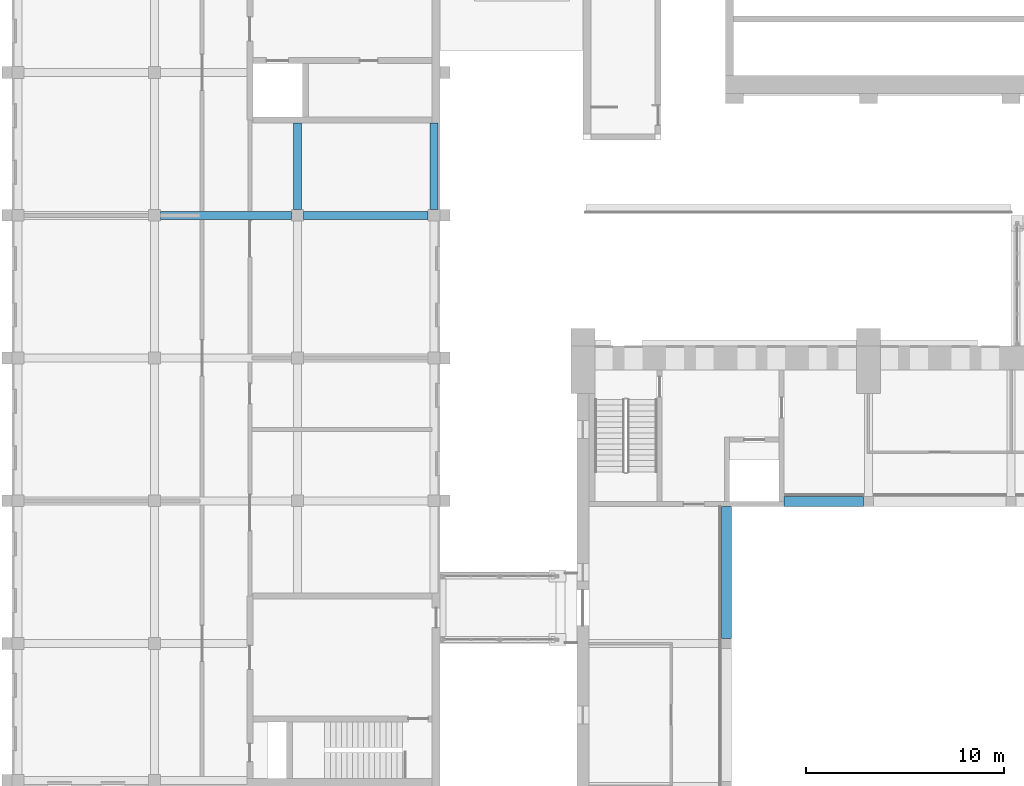
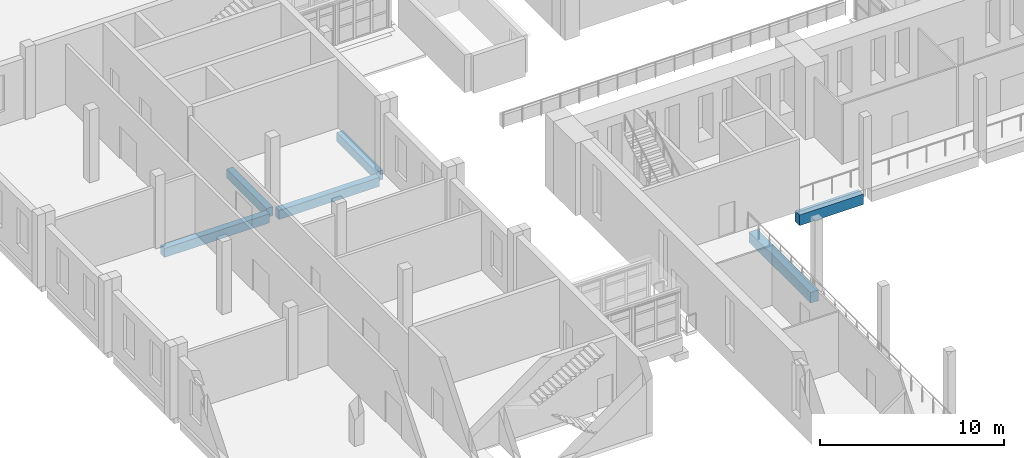
# One storey, part 42 of 131: 6 beams.
"""IFC4 building model written with IfcOpenShell, lengths in metres."""

from ifc_helpers import new_model, si_unit, direction, frame, origin, origin_2d, place, context, subcontext, project, spatial, rectangle, extrude, material, material_profile, profile_set, type_object, element, save


model = new_model("IFC4")

# Units and contexts
model_context = context("Model", 3, precision=1e-05, world=origin(), true_north=direction((0.0, 1.0)))
body_context = subcontext(model_context, "Body", "Model", "MODEL_VIEW")
ifc_project = project(units=[si_unit("LENGTHUNIT", "METRE"), si_unit("AREAUNIT", "SQUARE_METRE"), si_unit("VOLUMEUNIT", "CUBIC_METRE"), si_unit("PLANEANGLEUNIT", "RADIAN"), si_unit("MASSUNIT", "GRAM", prefix="KILO")], contexts=[model_context])

# Site, building, storey
site_placement = place(None, origin())
site = spatial("IfcSite", under=ifc_project, at=site_placement, CompositionType="ELEMENT")
building_placement = place(site_placement, origin())
building = spatial("IfcBuilding", under=site, at=building_placement, Name="Alderwick Market Hall", CompositionType="ELEMENT")
storey_placement = place(building_placement, frame((0.0, 0.0, 4.800048828125)))
storey = spatial("IfcBuildingStorey", under=building, at=storey_placement, Name="L00", CompositionType="ELEMENT", Elevation=4.800048828125)

# Beams
ifc_material = material(Name="Concrete 5000 psi (f'c 35 MPa)", Category="concrete")
ifc_material_profile_1 = material_profile(ifc_material, rectangle(XDim=0.39990234375, YDim=0.60009765625, at=origin_2d()), Name="B RC Beam 400x600")
ifc_profile_set_1 = profile_set([ifc_material_profile_1], Name="Concrete 5000 psi (f'c 35 MPa)")
beam_type_1 = type_object("IfcBeamType", Name="B RC Beam 400x600", PredefinedType="BEAM", material=ifc_profile_set_1)
beam_1_placement = place(storey_placement, frame((29.10009765625, 115.199951171875, -0.550048828125), z_axis=(1.0, 0.0, 0.0), x_axis=(0.0, 1.0, 0.0)))
element("IfcBeam", 1, at=beam_1_placement, inside=storey, type_object=beam_type_1, Name="B.N.beam.L00.u144-0075", PredefinedType="BEAM", context=body_context, shape_type="SweptSolid", body=[
    extrude(rectangle(XDim=0.39990234375, YDim=0.60009765625, at=origin_2d()), origin(), (0.0, 0.0, 1.0), 6.599853515625),
])
beam_2_placement = place(storey_placement, frame((36.300048828125, 115.199951171875, -0.550048828125), z_axis=(1.0, 0.0, 0.0), x_axis=(0.0, 1.0, 0.0)))
element("IfcBeam", 2, at=beam_2_placement, inside=storey, type_object=beam_type_1, Name="B.N.beam.L00.u144-0147", PredefinedType="BEAM", context=body_context, shape_type="SweptSolid", body=[
    extrude(rectangle(XDim=0.39990234375, YDim=0.60009765625, at=origin_2d()), origin(), (0.0, 0.0, 1.0), 6.300048828125),
])
for number, where, z_axis, x_axis, name in (
    (3, (36.0, 119.85009765625, -0.550048828125), (0.0, -1.0, 0.0), (1.0, 0.0, 0.0), "B.N.beam.L00.w144-0098"),
    (4, (42.89990234375, 119.85009765625, -0.550048828125), (0.0, -1.0, 0.0), (1.0, 0.0, 0.0), "B.N.beam.L00.w213-0098"),
):
    element("IfcBeam", number, at=place(storey_placement, frame(where, z_axis=z_axis, x_axis=x_axis)), inside=storey, type_object=beam_type_1, Name=name, PredefinedType="BEAM", context=body_context, shape_type="SweptSolid", body=[
        extrude(rectangle(XDim=0.39990234375, YDim=0.60009765625, at=origin_2d()), origin(), (0.0, 0.0, 1.0), 4.35009765625),
    ])
ifc_material_profile_2 = material_profile(ifc_material, rectangle(XDim=0.5, YDim=0.699951171875, at=origin_2d()), Name="RC 500x700")
ifc_profile_set_2 = profile_set([ifc_material_profile_2], Name="Concrete 5000 psi (f'c 35 MPa)")
beam_type_2 = type_object("IfcBeamType", Name="H Edge beam 500x700", PredefinedType="BEAM", material=ifc_profile_set_2)
beam_3_placement = place(storey_placement, frame((60.550048828125, 100.760009765625, -0.60009765625), z_axis=(1.0, 0.0, 0.0), x_axis=(0.0, 1.0, 0.0)))
element("IfcBeam", 5, at=beam_3_placement, inside=storey, type_object=beam_type_2, Name="Gallery edge beam N", PredefinedType="BEAM", context=body_context, shape_type="SweptSolid", body=[
    extrude(rectangle(XDim=0.5, YDim=0.699951171875, at=origin_2d()), origin(), (0.0, 0.0, 1.0), 4.0),
])
beam_4_placement = place(storey_placement, frame((57.639892578125, 93.85009765625, -0.60009765625), z_axis=(0.0, 1.0, 0.0), x_axis=(-1.0, 0.0, 0.0)))
element("IfcBeam", 6, at=beam_4_placement, inside=storey, type_object=beam_type_2, Name="Gallery edge beam W", PredefinedType="BEAM", context=body_context, shape_type="SweptSolid", body=[
    extrude(rectangle(XDim=0.5, YDim=0.699951171875, at=origin_2d()), origin(), (0.0, 0.0, 1.0), 6.659912109375),
])

save(model, "model.ifc")
